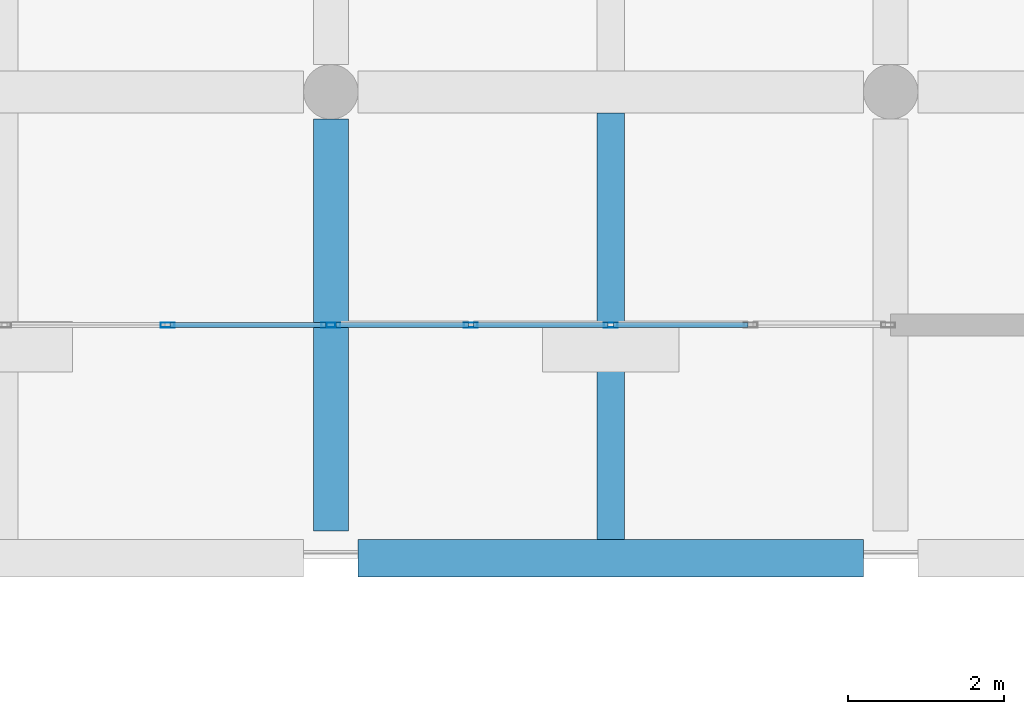
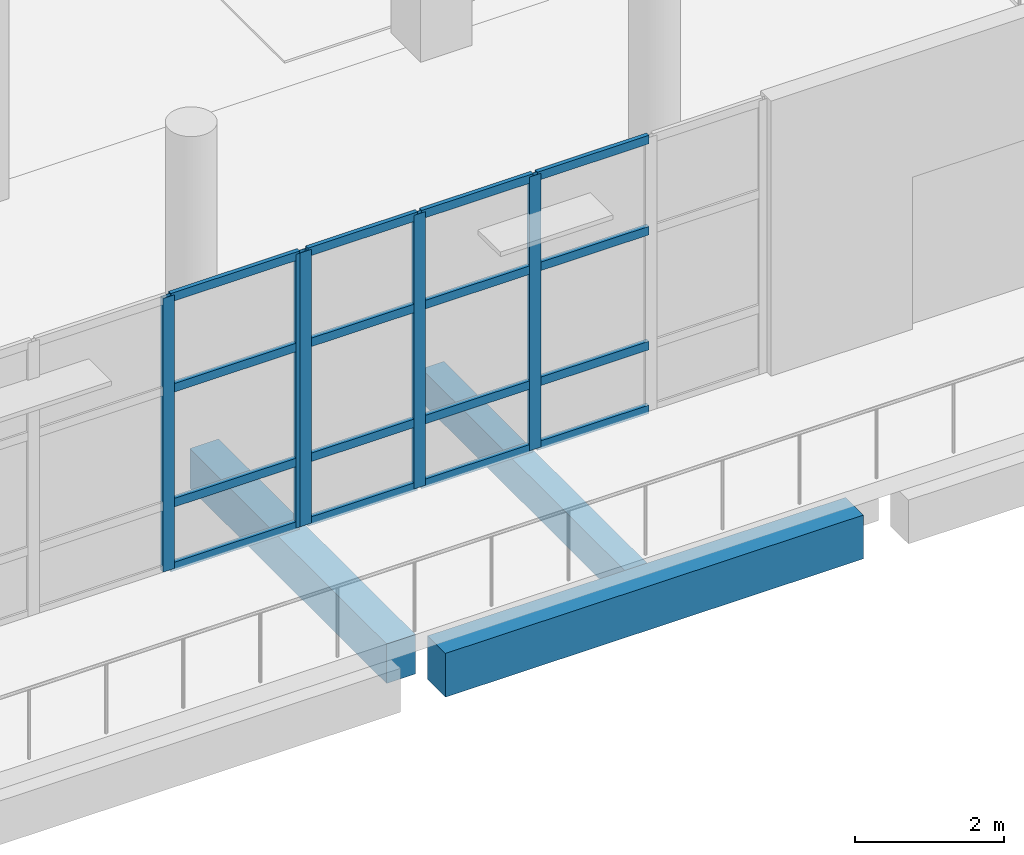
# One storey, part 7 of 79: 21 members, 3 beams, 2 elements without a shape of their own.
"""IFC4 building model written with IfcOpenShell, lengths in metres."""

from ifc_helpers import new_model, si_unit, direction, frame, origin, origin_2d, place, context, subcontext, project, spatial, rectangle, hollow_rectangle, extrude, material, material_profile, profile_set, type_object, element, aggregate, save


model = new_model("IFC4")

# Units and contexts
model_context = context("Model", 3, precision=1e-05, world=origin(), true_north=direction((0.0, 1.0)))
body_context = subcontext(model_context, "Body", "Model", "MODEL_VIEW")
ifc_project = project(units=[si_unit("LENGTHUNIT", "METRE"), si_unit("AREAUNIT", "SQUARE_METRE"), si_unit("VOLUMEUNIT", "CUBIC_METRE"), si_unit("PLANEANGLEUNIT", "RADIAN"), si_unit("MASSUNIT", "GRAM", prefix="KILO")], contexts=[model_context])

# Site, building, storey
site_placement = place(None, origin())
site = spatial("IfcSite", under=ifc_project, at=site_placement, CompositionType="ELEMENT")
building_placement = place(site_placement, origin())
building = spatial("IfcBuilding", under=site, at=building_placement, Name="Pellamere Symphony Hall", CompositionType="ELEMENT")
storey_placement = place(building_placement, frame((0.0, 0.0, 10.199951171875)))
storey = spatial("IfcBuildingStorey", under=building, at=storey_placement, Name="L02", CompositionType="ELEMENT", Elevation=10.199951171875)

# Curtain wall, members
ifc_material_1 = material(Name="Thermally Broken Anodised Aluminium 6063-T6 Curtain Wall", Category="aluminium")
curtain_wall_type = type_object("IfcCurtainWallType", Name="Curtain Wall CW-02 (Winter-Garden South Concourse Curtain Wall)", PredefinedType="NOTDEFINED", material=ifc_material_1)
curtain_wall_1_placement = place(storey_placement, origin())
curtain_wall_1 = element("IfcCurtainWall", 1, at=curtain_wall_1_placement, inside=storey, type_object=curtain_wall_type, Name="Winter-Garden South Curtain Wall (L02 Bay 2)", PredefinedType="NOTDEFINED")
ifc_material_2 = material(Name="Anodised Architectural Aluminium 6063-T6", Category="aluminium")
ifc_material_profile_1 = material_profile(ifc_material_2, hollow_rectangle(XDim=0.06494140625, YDim=0.179931640625, WallThickness=0.00390625, at=origin_2d()), Name="ALU-M65X180X4")
ifc_profile_set_1 = profile_set([ifc_material_profile_1], Name="Anodised Architectural Aluminium 6063-T6")
member_type_1 = type_object("IfcMemberType", Name="Curtain Wall Mullion ML-02 ALU-M65X180X4", PredefinedType="MULLION", material=ifc_profile_set_1)
member_1_placement = place(storey_placement, frame((56.699951171875, 21.0, 0.0), z_axis=(0.0, 0.0, 1.0), x_axis=(0.0, 1.0, 0.0)))
member_1 = element("IfcMember", 2, at=member_1_placement, type_object=member_type_1, Name="CW2-078 crystal mullion 4", PredefinedType="MULLION", context=body_context, shape_type="SweptSolid", body=[
    extrude(hollow_rectangle(XDim=0.06494140625, YDim=0.179931640625, WallThickness=0.00390625, at=origin_2d()), origin(), (0.0, 0.0, 1.0), 4.5),
])
member_2_placement = place(storey_placement, frame((58.767578125, 21.0, 0.0), z_axis=(0.0, 0.0, 1.0), x_axis=(0.0, 1.0, 0.0)))
member_2 = element("IfcMember", 3, at=member_2_placement, type_object=member_type_1, Name="CW2-078 crystal mullion 5", PredefinedType="MULLION", context=body_context, shape_type="SweptSolid", body=[
    extrude(hollow_rectangle(XDim=0.06494140625, YDim=0.179931640625, WallThickness=0.00390625, at=origin_2d()), origin(), (0.0, 0.0, 1.0), 4.5),
])

curtain_wall_2_placement = place(storey_placement, origin())
curtain_wall_2 = element("IfcCurtainWall", 4, at=curtain_wall_2_placement, inside=storey, type_object=curtain_wall_type, Name="Winter-Garden South Curtain Wall (L02 Bay 3)", PredefinedType="NOTDEFINED")
member_3_placement = place(storey_placement, frame((58.83251953125, 21.0, 0.0), z_axis=(0.0, 0.0, 1.0), x_axis=(0.0, 1.0, 0.0)))
member_3 = element("IfcMember", 5, at=member_3_placement, type_object=member_type_1, Name="CW2-079 crystal mullion 1", PredefinedType="MULLION", context=body_context, shape_type="SweptSolid", body=[
    extrude(hollow_rectangle(XDim=0.06494140625, YDim=0.179931640625, WallThickness=0.00390625, at=origin_2d()), origin(), (0.0, 0.0, 1.0), 4.5),
])
member_4_placement = place(storey_placement, frame((60.60009765625, 21.0, 0.0), z_axis=(0.0, 0.0, 1.0), x_axis=(0.0, 1.0, 0.0)))
member_4 = element("IfcMember", 6, at=member_4_placement, type_object=member_type_1, Name="CW2-079 crystal mullion 2", PredefinedType="MULLION", context=body_context, shape_type="SweptSolid", body=[
    extrude(hollow_rectangle(XDim=0.06494140625, YDim=0.179931640625, WallThickness=0.00390625, at=origin_2d()), origin(), (0.0, 0.0, 1.0), 4.5),
])
member_5_placement = place(storey_placement, frame((62.39990234375, 21.0, 0.0), z_axis=(0.0, 0.0, 1.0), x_axis=(0.0, 1.0, 0.0)))
member_5 = element("IfcMember", 7, at=member_5_placement, type_object=member_type_1, Name="CW2-079 crystal mullion 3", PredefinedType="MULLION", context=body_context, shape_type="SweptSolid", body=[
    extrude(hollow_rectangle(XDim=0.06494140625, YDim=0.179931640625, WallThickness=0.00390625, at=origin_2d()), origin(), (0.0, 0.0, 1.0), 4.5),
])

# Member
ifc_material_profile_2 = material_profile(ifc_material_2, hollow_rectangle(XDim=0.06494140625, YDim=0.139892578125, WallThickness=0.00390625, at=origin_2d()), Name="ALU-T65X140X4")
ifc_profile_set_2 = profile_set([ifc_material_profile_2], Name="Anodised Architectural Aluminium 6063-T6")
member_type_2 = type_object("IfcMemberType", Name="Curtain Wall Transom TR-02 ALU-T65X140X4", PredefinedType="USERDEFINED", material=ifc_profile_set_2)
member_6_placement = place(storey_placement, frame((56.732421875, 21.0, 0.032470703125), z_axis=(1.0, 0.0, 0.0), x_axis=(0.0, 1.0, 0.0)))
member_6 = element("IfcMember", 8, at=member_6_placement, type_object=member_type_2, Name="CW2-078 crystal transom 4.1", ObjectType="TRANSOM", PredefinedType="USERDEFINED", context=body_context, shape_type="SweptSolid", body=[
    extrude(hollow_rectangle(XDim=0.06494140625, YDim=0.139892578125, WallThickness=0.00390625, at=origin_2d()), origin(), (0.0, 0.0, 1.0), 2.002685546875),
])

member_7_placement = place(storey_placement, frame((56.732421875, 21.0, 1.080078125), z_axis=(1.0, 0.0, 0.0), x_axis=(0.0, 1.0, 0.0)))
member_7 = element("IfcMember", 9, at=member_7_placement, type_object=member_type_2, Name="CW2-078 crystal transom 4.2", ObjectType="TRANSOM", PredefinedType="USERDEFINED", context=body_context, shape_type="SweptSolid", body=[
    extrude(hollow_rectangle(XDim=0.06494140625, YDim=0.139892578125, WallThickness=0.00390625, at=origin_2d()), origin(), (0.0, 0.0, 1.0), 2.002685546875),
])

member_8_placement = place(storey_placement, frame((56.732421875, 21.0, 2.969970703125), z_axis=(1.0, 0.0, 0.0), x_axis=(0.0, 1.0, 0.0)))
member_8 = element("IfcMember", 10, at=member_8_placement, type_object=member_type_2, Name="CW2-078 crystal transom 4.3", ObjectType="TRANSOM", PredefinedType="USERDEFINED", context=body_context, shape_type="SweptSolid", body=[
    extrude(hollow_rectangle(XDim=0.06494140625, YDim=0.139892578125, WallThickness=0.00390625, at=origin_2d()), origin(), (0.0, 0.0, 1.0), 2.002685546875),
])

member_9_placement = place(storey_placement, frame((56.732421875, 21.0, 4.467529296875), z_axis=(1.0, 0.0, 0.0), x_axis=(0.0, 1.0, 0.0)))
member_9 = element("IfcMember", 11, at=member_9_placement, type_object=member_type_2, Name="CW2-078 crystal transom 4.4", ObjectType="TRANSOM", PredefinedType="USERDEFINED", context=body_context, shape_type="SweptSolid", body=[
    extrude(hollow_rectangle(XDim=0.06494140625, YDim=0.139892578125, WallThickness=0.00390625, at=origin_2d()), origin(), (0.0, 0.0, 1.0), 2.002685546875),
])

aggregate(curtain_wall_1, [member_1, member_2, member_6, member_7, member_8, member_9])

member_10_placement = place(storey_placement, frame((58.864990234375, 21.0, 0.032470703125), z_axis=(1.0, 0.0, 0.0), x_axis=(0.0, 1.0, 0.0)))
member_10 = element("IfcMember", 12, at=member_10_placement, type_object=member_type_2, Name="CW2-079 crystal transom 1.1", ObjectType="TRANSOM", PredefinedType="USERDEFINED", context=body_context, shape_type="SweptSolid", body=[
    extrude(hollow_rectangle(XDim=0.06494140625, YDim=0.139892578125, WallThickness=0.00390625, at=origin_2d()), origin(), (0.0, 0.0, 1.0), 1.702392578125),
])

member_11_placement = place(storey_placement, frame((58.864990234375, 21.0, 1.080078125), z_axis=(1.0, 0.0, 0.0), x_axis=(0.0, 1.0, 0.0)))
member_11 = element("IfcMember", 13, at=member_11_placement, type_object=member_type_2, Name="CW2-079 crystal transom 1.2", ObjectType="TRANSOM", PredefinedType="USERDEFINED", context=body_context, shape_type="SweptSolid", body=[
    extrude(hollow_rectangle(XDim=0.06494140625, YDim=0.139892578125, WallThickness=0.00390625, at=origin_2d()), origin(), (0.0, 0.0, 1.0), 1.702392578125),
])

member_12_placement = place(storey_placement, frame((58.864990234375, 21.0, 2.969970703125), z_axis=(1.0, 0.0, 0.0), x_axis=(0.0, 1.0, 0.0)))
member_12 = element("IfcMember", 14, at=member_12_placement, type_object=member_type_2, Name="CW2-079 crystal transom 1.3", ObjectType="TRANSOM", PredefinedType="USERDEFINED", context=body_context, shape_type="SweptSolid", body=[
    extrude(hollow_rectangle(XDim=0.06494140625, YDim=0.139892578125, WallThickness=0.00390625, at=origin_2d()), origin(), (0.0, 0.0, 1.0), 1.702392578125),
])

member_13_placement = place(storey_placement, frame((58.864990234375, 21.0, 4.467529296875), z_axis=(1.0, 0.0, 0.0), x_axis=(0.0, 1.0, 0.0)))
member_13 = element("IfcMember", 15, at=member_13_placement, type_object=member_type_2, Name="CW2-079 crystal transom 1.4", ObjectType="TRANSOM", PredefinedType="USERDEFINED", context=body_context, shape_type="SweptSolid", body=[
    extrude(hollow_rectangle(XDim=0.06494140625, YDim=0.139892578125, WallThickness=0.00390625, at=origin_2d()), origin(), (0.0, 0.0, 1.0), 1.702392578125),
])

member_14_placement = place(storey_placement, frame((60.632568359375, 21.0, 0.032470703125), z_axis=(1.0, 0.0, 0.0), x_axis=(0.0, 1.0, 0.0)))
member_14 = element("IfcMember", 16, at=member_14_placement, type_object=member_type_2, Name="CW2-079 crystal transom 2.1", ObjectType="TRANSOM", PredefinedType="USERDEFINED", context=body_context, shape_type="SweptSolid", body=[
    extrude(hollow_rectangle(XDim=0.06494140625, YDim=0.139892578125, WallThickness=0.00390625, at=origin_2d()), origin(), (0.0, 0.0, 1.0), 1.73486328125),
])

member_15_placement = place(storey_placement, frame((60.632568359375, 21.0, 1.080078125), z_axis=(1.0, 0.0, 0.0), x_axis=(0.0, 1.0, 0.0)))
member_15 = element("IfcMember", 17, at=member_15_placement, type_object=member_type_2, Name="CW2-079 crystal transom 2.2", ObjectType="TRANSOM", PredefinedType="USERDEFINED", context=body_context, shape_type="SweptSolid", body=[
    extrude(hollow_rectangle(XDim=0.06494140625, YDim=0.139892578125, WallThickness=0.00390625, at=origin_2d()), origin(), (0.0, 0.0, 1.0), 1.73486328125),
])

member_16_placement = place(storey_placement, frame((60.632568359375, 21.0, 2.969970703125), z_axis=(1.0, 0.0, 0.0), x_axis=(0.0, 1.0, 0.0)))
member_16 = element("IfcMember", 18, at=member_16_placement, type_object=member_type_2, Name="CW2-079 crystal transom 2.3", ObjectType="TRANSOM", PredefinedType="USERDEFINED", context=body_context, shape_type="SweptSolid", body=[
    extrude(hollow_rectangle(XDim=0.06494140625, YDim=0.139892578125, WallThickness=0.00390625, at=origin_2d()), origin(), (0.0, 0.0, 1.0), 1.73486328125),
])

member_17_placement = place(storey_placement, frame((60.632568359375, 21.0, 4.467529296875), z_axis=(1.0, 0.0, 0.0), x_axis=(0.0, 1.0, 0.0)))
member_17 = element("IfcMember", 19, at=member_17_placement, type_object=member_type_2, Name="CW2-079 crystal transom 2.4", ObjectType="TRANSOM", PredefinedType="USERDEFINED", context=body_context, shape_type="SweptSolid", body=[
    extrude(hollow_rectangle(XDim=0.06494140625, YDim=0.139892578125, WallThickness=0.00390625, at=origin_2d()), origin(), (0.0, 0.0, 1.0), 1.73486328125),
])

member_18_placement = place(storey_placement, frame((62.4326171875, 21.0, 0.032470703125), z_axis=(1.0, 0.0, 0.0), x_axis=(0.0, 1.0, 0.0)))
member_18 = element("IfcMember", 20, at=member_18_placement, type_object=member_type_2, Name="CW2-079 crystal transom 3.1", ObjectType="TRANSOM", PredefinedType="USERDEFINED", context=body_context, shape_type="SweptSolid", body=[
    extrude(hollow_rectangle(XDim=0.06494140625, YDim=0.139892578125, WallThickness=0.00390625, at=origin_2d()), origin(), (0.0, 0.0, 1.0), 1.73486328125),
])

member_19_placement = place(storey_placement, frame((62.4326171875, 21.0, 1.080078125), z_axis=(1.0, 0.0, 0.0), x_axis=(0.0, 1.0, 0.0)))
member_19 = element("IfcMember", 21, at=member_19_placement, type_object=member_type_2, Name="CW2-079 crystal transom 3.2", ObjectType="TRANSOM", PredefinedType="USERDEFINED", context=body_context, shape_type="SweptSolid", body=[
    extrude(hollow_rectangle(XDim=0.06494140625, YDim=0.139892578125, WallThickness=0.00390625, at=origin_2d()), origin(), (0.0, 0.0, 1.0), 1.73486328125),
])

member_20_placement = place(storey_placement, frame((62.4326171875, 21.0, 2.969970703125), z_axis=(1.0, 0.0, 0.0), x_axis=(0.0, 1.0, 0.0)))
member_20 = element("IfcMember", 22, at=member_20_placement, type_object=member_type_2, Name="CW2-079 crystal transom 3.3", ObjectType="TRANSOM", PredefinedType="USERDEFINED", context=body_context, shape_type="SweptSolid", body=[
    extrude(hollow_rectangle(XDim=0.06494140625, YDim=0.139892578125, WallThickness=0.00390625, at=origin_2d()), origin(), (0.0, 0.0, 1.0), 1.73486328125),
])

member_21_placement = place(storey_placement, frame((62.4326171875, 21.0, 4.467529296875), z_axis=(1.0, 0.0, 0.0), x_axis=(0.0, 1.0, 0.0)))
member_21 = element("IfcMember", 23, at=member_21_placement, type_object=member_type_2, Name="CW2-079 crystal transom 3.4", ObjectType="TRANSOM", PredefinedType="USERDEFINED", context=body_context, shape_type="SweptSolid", body=[
    extrude(hollow_rectangle(XDim=0.06494140625, YDim=0.139892578125, WallThickness=0.00390625, at=origin_2d()), origin(), (0.0, 0.0, 1.0), 1.73486328125),
])

aggregate(curtain_wall_2, [member_3, member_4, member_5, member_10, member_11, member_12, member_13, member_14, member_15, member_16, member_17, member_18, member_19, member_20, member_21])

# Beams
ifc_material_3 = material(Name="Concrete 40 MPa", Category="concrete")
ifc_material_profile_3 = material_profile(ifc_material_3, rectangle(XDim=0.449951171875, YDim=0.64990234375, at=origin_2d()), Name="RC 450x650")
ifc_profile_set_3 = profile_set([ifc_material_profile_3], Name="Concrete 40 MPa")
beam_type_1 = type_object("IfcBeamType", Name="RC CB-08 450x650", PredefinedType="BEAM", material=ifc_profile_set_3)
beam_1_placement = place(storey_placement, frame((58.800048828125, 18.35009765625, -0.60498046875), z_axis=(0.0, 1.0, 0.0), x_axis=(-1.0, 0.0, 0.0)))
element("IfcBeam", 24, at=beam_1_placement, inside=storey, type_object=beam_type_1, Name="Girder CB-08-Y1259 (L02)", PredefinedType="BEAM", context=body_context, shape_type="SweptSolid", body=[
    extrude(rectangle(XDim=0.449951171875, YDim=0.64990234375, at=origin_2d()), origin(), (0.0, 0.0, 1.0), 5.2998046875),
])
ifc_material_4 = material(Name="Concrete 35 MPa", Category="concrete")
ifc_material_profile_4 = material_profile(ifc_material_4, rectangle(XDim=0.35009765625, YDim=0.550048828125, at=origin_2d()), Name="RC 350x550")
ifc_profile_set_4 = profile_set([ifc_material_profile_4], Name="Concrete 35 MPa")
beam_type_2 = type_object("IfcBeamType", Name="RC CB-10 350x550", PredefinedType="BEAM", material=ifc_profile_set_4)
beam_2_placement = place(storey_placement, frame((62.39990234375, 18.239990234375, -0.570068359375), z_axis=(0.0, 1.0, 0.0), x_axis=(-1.0, 0.0, 0.0)))
element("IfcBeam", 25, at=beam_2_placement, inside=storey, type_object=beam_type_2, Name="Secondary Floor Beam CB-10-M0702 (L02)", PredefinedType="BEAM", context=body_context, shape_type="SweptSolid", body=[
    extrude(rectangle(XDim=0.35009765625, YDim=0.550048828125, at=origin_2d()), origin(), (0.0, 0.0, 1.0), 5.489990234375),
])
ifc_material_profile_5 = material_profile(ifc_material_3, rectangle(XDim=0.47998046875, YDim=0.719970703125, at=origin_2d()), Name="RC 480x720")
ifc_profile_set_5 = profile_set([ifc_material_profile_5], Name="Concrete 40 MPa")
beam_type_3 = type_object("IfcBeamType", Name="RC CB-14 480x720", PredefinedType="SPANDREL", material=ifc_profile_set_5)
beam_3_placement = place(storey_placement, frame((59.14990234375, 18.0, -0.639892578125), z_axis=(1.0, 0.0, 0.0), x_axis=(0.0, 1.0, 0.0)))
element("IfcBeam", 26, at=beam_3_placement, inside=storey, type_object=beam_type_3, Name="Girder CB-14-X1042 (L02)", PredefinedType="SPANDREL", context=body_context, shape_type="SweptSolid", body=[
    extrude(rectangle(XDim=0.47998046875, YDim=0.719970703125, at=origin_2d()), origin(), (0.0, 0.0, 1.0), 6.5),
])

save(model, "model.ifc")
